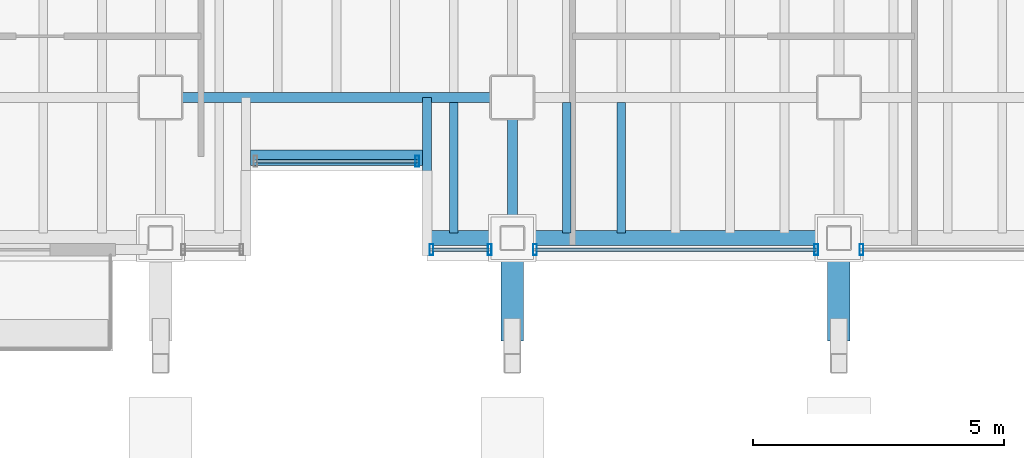
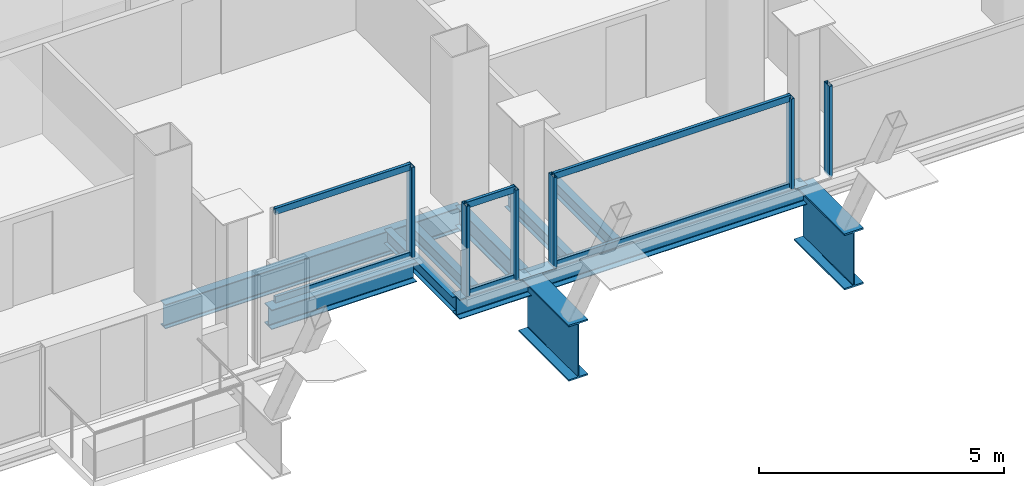
# One storey, part 4 of 16: 12 members, 11 beams, 4 elements without a shape of their own.
"""IFC4 building model written with IfcOpenShell, lengths in metres."""

from ifc_helpers import new_model, si_unit, direction, frame, origin, origin_2d, place, context, subcontext, project, spatial, hollow_rectangle, i_section, extrude, material, material_profile, profile_set, type_object, element, aggregate, save


model = new_model("IFC4")

# Units and contexts
model_context = context("Model", 3, precision=1e-05, world=origin(), true_north=direction((0.0, 1.0)))
body_context = subcontext(model_context, "Body", "Model", "MODEL_VIEW")
ifc_project = project(units=[si_unit("LENGTHUNIT", "METRE"), si_unit("AREAUNIT", "SQUARE_METRE"), si_unit("VOLUMEUNIT", "CUBIC_METRE"), si_unit("PLANEANGLEUNIT", "RADIAN"), si_unit("MASSUNIT", "GRAM", prefix="KILO")], contexts=[model_context])

# Site, building, storey
site_placement = place(None, origin())
site = spatial("IfcSite", under=ifc_project, at=site_placement, CompositionType="ELEMENT")
building_placement = place(site_placement, origin())
building = spatial("IfcBuilding", under=site, at=building_placement, Name="Noeulbin Bourse Tower", CompositionType="ELEMENT")
storey_placement = place(building_placement, frame((0.0, 0.0, 192.89990234375)))
storey = spatial("IfcBuildingStorey", under=building, at=storey_placement, Name="L48", CompositionType="ELEMENT", Elevation=192.89990234375)

# Beams
ifc_material_1 = material(Name="Steel S355", Category="steel")
ifc_material_profile_1 = material_profile(ifc_material_1, i_section(OverallWidth=0.199951171875, OverallDepth=0.5, WebThickness=0.010009765625, FlangeThickness=0.01611328125, FilletRadius=0.02001953125, at=origin_2d()), Name="H-500x200x10x16", Category="LoadBearing")
ifc_profile_set_1 = profile_set([ifc_material_profile_1], Name="Steel S355")
beam_type_1 = type_object("IfcBeamType", Name="BM-GRD-500", PredefinedType="USERDEFINED", material=ifc_profile_set_1)
beam_1_placement = place(storey_placement, frame((31.0, 17.199951171875, -0.429931640625), z_axis=(0.0, 1.0, 0.0), x_axis=(-1.0, 0.0, 0.0)))
element("IfcBeam", 1, at=beam_1_placement, inside=storey, type_object=beam_type_1, Name="Tower Primary Girder NS L48-3.1", ObjectType="GIRDER", PredefinedType="USERDEFINED", context=body_context, shape_type="SweptSolid", body=[
    extrude(i_section(OverallWidth=0.199951171875, OverallDepth=0.5, WebThickness=0.010009765625, FlangeThickness=0.01611328125, FilletRadius=0.02001953125, at=origin_2d()), origin(), (0.0, 0.0, 1.0), 2.800048828125),
])
ifc_material_profile_2 = material_profile(ifc_material_1, i_section(OverallWidth=0.199951171875, OverallDepth=0.60009765625, WebThickness=0.010986328125, FlangeThickness=0.01708984375, FilletRadius=0.02197265625, at=origin_2d()), Name="H-600x200x11x17", Category="LoadBearing")
ifc_profile_set_2 = profile_set([ifc_material_profile_2], Name="Steel S355")
beam_type_2 = type_object("IfcBeamType", Name="BM-GRD-600", PredefinedType="USERDEFINED", material=ifc_profile_set_2)
beam_2_placement = place(storey_placement, frame((24.0, 20.0, -0.47998046875), z_axis=(1.0, 0.0, 0.0), x_axis=(0.0, 1.0, 0.0)))
element("IfcBeam", 2, at=beam_2_placement, inside=storey, type_object=beam_type_2, Name="Tower Primary Girder EW L48-1.3", ObjectType="GIRDER", PredefinedType="USERDEFINED", context=body_context, shape_type="SweptSolid", body=[
    extrude(i_section(OverallWidth=0.199951171875, OverallDepth=0.60009765625, WebThickness=0.010986328125, FlangeThickness=0.01708984375, FilletRadius=0.02197265625, at=origin_2d()), origin(), (0.0, 0.0, 1.0), 7.0),
])
ifc_material_profile_3 = material_profile(ifc_material_1, i_section(OverallWidth=0.175048828125, OverallDepth=0.35009765625, WebThickness=0.007080078125, FlangeThickness=0.010986328125, FilletRadius=0.013916015625, at=origin_2d()), Name="H-350x175x7x11", Category="LoadBearing")
ifc_profile_set_3 = profile_set([ifc_material_profile_3], Name="Steel S355")
beam_type_3 = type_object("IfcBeamType", Name="BM-JST-350", PredefinedType="JOIST", material=ifc_profile_set_3)
beam_3_placement = place(storey_placement, frame((29.300048828125, 17.199951171875, -0.35498046875), z_axis=(0.0, 1.0, 0.0), x_axis=(-1.0, 0.0, 0.0)))
element("IfcBeam", 3, at=beam_3_placement, inside=storey, type_object=beam_type_3, Name="BM-L48-SRT-E", PredefinedType="JOIST", context=body_context, shape_type="SweptSolid", body=[
    extrude(i_section(OverallWidth=0.175048828125, OverallDepth=0.35009765625, WebThickness=0.007080078125, FlangeThickness=0.010986328125, FilletRadius=0.013916015625, at=origin_2d()), origin(), (0.0, 0.0, 1.0), 2.800048828125),
])
for number, where, z_axis, x_axis, name in (
    (4, (29.833251953125, 17.300048828125, -0.35498046875), (0.0, 1.0, 0.0), (-1.0, 0.0, 0.0), "Tower Composite Joist L48-34"),
    (5, (32.083251953125, 17.300048828125, -0.35498046875), (0.0, 1.0, 0.0), (-1.0, 0.0, 0.0), "Tower Composite Joist L48-37"),
    (6, (33.166748046875, 17.300048828125, -0.35498046875), (0.0, 1.0, 0.0), (-1.0, 0.0, 0.0), "Tower Composite Joist L48-40"),
):
    element("IfcBeam", number, at=place(storey_placement, frame(where, z_axis=z_axis, x_axis=x_axis)), inside=storey, type_object=beam_type_3, Name=name, PredefinedType="JOIST", context=body_context, shape_type="SweptSolid", body=[
        extrude(i_section(OverallWidth=0.175048828125, OverallDepth=0.35009765625, WebThickness=0.007080078125, FlangeThickness=0.010986328125, FilletRadius=0.013916015625, at=origin_2d()), origin(), (0.0, 0.0, 1.0), 2.599853515625),
    ])
ifc_material_profile_4 = material_profile(ifc_material_1, i_section(OverallWidth=0.300048828125, OverallDepth=0.488037109375, WebThickness=0.010986328125, FlangeThickness=0.01806640625, FilletRadius=0.02197265625, at=origin_2d()), Name="H-488x300x11x18", Category="LoadBearing")
ifc_profile_set_4 = profile_set([ifc_material_profile_4], Name="Steel S355")
beam_type_4 = type_object("IfcBeamType", Name="BM-SPN-488", PredefinedType="SPANDREL", material=ifc_profile_set_4)
beam_4_placement = place(storey_placement, frame((25.78759765625, 18.800048828125, -0.423828125), z_axis=(1.0, 0.0, 0.0), x_axis=(0.0, 1.0, 0.0)))
element("IfcBeam", 7, at=beam_4_placement, inside=storey, type_object=beam_type_4, Name="South Recess Spandrel L48-2B", PredefinedType="SPANDREL", context=body_context, shape_type="SweptSolid", body=[
    extrude(i_section(OverallWidth=0.300048828125, OverallDepth=0.488037109375, WebThickness=0.010986328125, FlangeThickness=0.01806640625, FilletRadius=0.02197265625, at=origin_2d()), origin(), (0.0, 0.0, 1.0), 3.4248046875),
])
beam_5_placement = place(storey_placement, frame((29.300048828125, 17.199951171875, -0.423828125), z_axis=(1.0, 0.0, 0.0), x_axis=(0.0, 1.0, 0.0)))
element("IfcBeam", 8, at=beam_5_placement, inside=storey, type_object=beam_type_4, Name="South Spandrel L48-2C", PredefinedType="SPANDREL", context=body_context, shape_type="SweptSolid", body=[
    extrude(i_section(OverallWidth=0.300048828125, OverallDepth=0.488037109375, WebThickness=0.010986328125, FlangeThickness=0.01806640625, FilletRadius=0.02197265625, at=origin_2d()), origin(), (0.0, 0.0, 1.0), 1.699951171875),
])
beam_6_placement = place(storey_placement, frame((31.0, 17.199951171875, -0.423828125), z_axis=(1.0, 0.0, 0.0), x_axis=(0.0, 1.0, 0.0)))
element("IfcBeam", 9, at=beam_6_placement, inside=storey, type_object=beam_type_4, Name="South Spandrel L48-3", PredefinedType="SPANDREL", context=body_context, shape_type="SweptSolid", body=[
    extrude(i_section(OverallWidth=0.300048828125, OverallDepth=0.488037109375, WebThickness=0.010986328125, FlangeThickness=0.01806640625, FilletRadius=0.02197265625, at=origin_2d()), origin(), (0.0, 0.0, 1.0), 6.5),
])
ifc_material_2 = material(Name="Steel S460", Category="steel")
ifc_material_profile_5 = material_profile(ifc_material_2, i_section(OverallWidth=0.449951171875, OverallDepth=1.39990234375, WebThickness=0.02392578125, FlangeThickness=0.0400390625, FilletRadius=0.02392578125, at=origin_2d()), Name="PG-1400x450x24x40", Category="LoadBearing")
ifc_profile_set_5 = profile_set([ifc_material_profile_5], Name="Steel S460")
beam_type_5 = type_object("IfcBeamType", Name="BM-TRF-1400", PredefinedType="USERDEFINED", material=ifc_profile_set_5)
for number, where, z_axis, x_axis, name in (
    (10, (31.0, 15.14990234375, -0.8798828125), (0.0, 1.0, 0.0), (-1.0, 0.0, 0.0), "Transfer Outrigger Corbel L48-03"),
    (11, (37.5, 15.14990234375, -0.8798828125), (0.0, 1.0, 0.0), (-1.0, 0.0, 0.0), "Transfer Outrigger Corbel L48-04"),
):
    element("IfcBeam", number, at=place(storey_placement, frame(where, z_axis=z_axis, x_axis=x_axis)), inside=storey, type_object=beam_type_5, Name=name, ObjectType="GIRDER", PredefinedType="USERDEFINED", context=body_context, shape_type="SweptSolid", body=[
        extrude(i_section(OverallWidth=0.449951171875, OverallDepth=1.39990234375, WebThickness=0.02392578125, FlangeThickness=0.0400390625, FilletRadius=0.02392578125, at=origin_2d()), origin(), (0.0, 0.0, 1.0), 2.050048828125),
    ])

# Curtain wall, member
ifc_material_3 = material(Name="Dark Tinted Triple Glazing", Category="glass")
curtain_wall_type = type_object("IfcCurtainWallType", Name="CW-SYS-3", PredefinedType="NOTDEFINED", material=ifc_material_3)
curtain_wall_1_placement = place(storey_placement, origin())
curtain_wall_1 = element("IfcCurtainWall", 12, at=curtain_wall_1_placement, inside=storey, type_object=curtain_wall_type, Name="Unitised Curtain Wall CW-L48-SREC", PredefinedType="NOTDEFINED")
ifc_material_4 = material(Name="Anodised Aluminium 6063-T6", Category="aluminium")
ifc_material_profile_6 = material_profile(ifc_material_4, hollow_rectangle(XDim=0.074951171875, YDim=0.219970703125, WallThickness=0.0048828125, InnerFilletRadius=0.00244140625, OuterFilletRadius=0.0048828125, at=origin_2d()), Name="ALU-MULL-75x220x5", Category="LoadBearing")
ifc_profile_set_6 = profile_set([ifc_material_profile_6], Name="Anodised Aluminium 6063-T6")
member_type_1 = type_object("IfcMemberType", Name="CW-SYS-3-MUL", PredefinedType="MULLION", material=ifc_profile_set_6)
member_1_placement = place(storey_placement, frame((29.110107421875, 18.72998046875, -0.02001953125), z_axis=(0.0, 0.0, 1.0), x_axis=(1.0, 0.0, 0.0)))
member_1 = element("IfcMember", 13, at=member_1_placement, type_object=member_type_1, Name="Curtain Wall Mullion CW-L48-SREC-M01", PredefinedType="MULLION", context=body_context, shape_type="SweptSolid", body=[
    extrude(hollow_rectangle(XDim=0.074951171875, YDim=0.219970703125, WallThickness=0.0048828125, InnerFilletRadius=0.00244140625, OuterFilletRadius=0.0048828125, at=origin_2d()), origin(), (0.0, 0.0, 1.0), 2.260009765625),
])

# Curtain wall, members
curtain_wall_2_placement = place(storey_placement, origin())
curtain_wall_2 = element("IfcCurtainWall", 14, at=curtain_wall_2_placement, inside=storey, type_object=curtain_wall_type, Name="Unitised Curtain Wall CW-L48-S3-S1", PredefinedType="NOTDEFINED")
member_2_placement = place(storey_placement, frame((29.389892578125, 16.969970703125, -0.02001953125), z_axis=(0.0, 0.0, 1.0), x_axis=(1.0, 0.0, 0.0)))
member_2 = element("IfcMember", 15, at=member_2_placement, type_object=member_type_1, Name="Curtain Wall Mullion CW-L48-S3-S1-M00", PredefinedType="MULLION", context=body_context, shape_type="SweptSolid", body=[
    extrude(hollow_rectangle(XDim=0.074951171875, YDim=0.219970703125, WallThickness=0.0048828125, InnerFilletRadius=0.00244140625, OuterFilletRadius=0.0048828125, at=origin_2d()), origin(), (0.0, 0.0, 1.0), 2.260009765625),
])
member_3_placement = place(storey_placement, frame((30.550048828125, 16.969970703125, -0.02001953125), z_axis=(0.0, 0.0, 1.0), x_axis=(1.0, 0.0, 0.0)))
member_3 = element("IfcMember", 16, at=member_3_placement, type_object=member_type_1, Name="Curtain Wall Mullion CW-L48-S3-S1-M01", PredefinedType="MULLION", context=body_context, shape_type="SweptSolid", body=[
    extrude(hollow_rectangle(XDim=0.074951171875, YDim=0.219970703125, WallThickness=0.0048828125, InnerFilletRadius=0.00244140625, OuterFilletRadius=0.0048828125, at=origin_2d()), origin(), (0.0, 0.0, 1.0), 2.260009765625),
])

curtain_wall_3_placement = place(storey_placement, origin())
curtain_wall_3 = element("IfcCurtainWall", 17, at=curtain_wall_3_placement, inside=storey, type_object=curtain_wall_type, Name="Unitised Curtain Wall CW-L48-S3-S2", PredefinedType="NOTDEFINED")
member_4_placement = place(storey_placement, frame((31.449951171875, 16.969970703125, -0.02001953125), z_axis=(0.0, 0.0, 1.0), x_axis=(1.0, 0.0, 0.0)))
member_4 = element("IfcMember", 18, at=member_4_placement, type_object=member_type_1, Name="Curtain Wall Mullion CW-L48-S3-S2-M00", PredefinedType="MULLION", context=body_context, shape_type="SweptSolid", body=[
    extrude(hollow_rectangle(XDim=0.074951171875, YDim=0.219970703125, WallThickness=0.0048828125, InnerFilletRadius=0.00244140625, OuterFilletRadius=0.0048828125, at=origin_2d()), origin(), (0.0, 0.0, 1.0), 2.260009765625),
])
member_5_placement = place(storey_placement, frame((37.050048828125, 16.969970703125, -0.02001953125), z_axis=(0.0, 0.0, 1.0), x_axis=(1.0, 0.0, 0.0)))
member_5 = element("IfcMember", 19, at=member_5_placement, type_object=member_type_1, Name="Curtain Wall Mullion CW-L48-S3-S2-M01", PredefinedType="MULLION", context=body_context, shape_type="SweptSolid", body=[
    extrude(hollow_rectangle(XDim=0.074951171875, YDim=0.219970703125, WallThickness=0.0048828125, InnerFilletRadius=0.00244140625, OuterFilletRadius=0.0048828125, at=origin_2d()), origin(), (0.0, 0.0, 1.0), 2.260009765625),
])

# Curtain wall, member
curtain_wall_4_placement = place(storey_placement, origin())
curtain_wall_4 = element("IfcCurtainWall", 20, at=curtain_wall_4_placement, inside=storey, type_object=curtain_wall_type, Name="Unitised Curtain Wall CW-L48-S3-S3", PredefinedType="NOTDEFINED")
member_6_placement = place(storey_placement, frame((37.949951171875, 16.969970703125, -0.02001953125), z_axis=(0.0, 0.0, 1.0), x_axis=(1.0, 0.0, 0.0)))
member_6 = element("IfcMember", 21, at=member_6_placement, type_object=member_type_1, Name="Curtain Wall Mullion CW-L48-S3-S3-M00", PredefinedType="MULLION", context=body_context, shape_type="SweptSolid", body=[
    extrude(hollow_rectangle(XDim=0.074951171875, YDim=0.219970703125, WallThickness=0.0048828125, InnerFilletRadius=0.00244140625, OuterFilletRadius=0.0048828125, at=origin_2d()), origin(), (0.0, 0.0, 1.0), 2.260009765625),
])
aggregate(curtain_wall_4, [member_6])

# Member
ifc_material_profile_7 = material_profile(ifc_material_4, hollow_rectangle(XDim=0.074951171875, YDim=0.159912109375, WallThickness=0.0048828125, InnerFilletRadius=0.00244140625, OuterFilletRadius=0.0048828125, at=origin_2d()), Name="ALU-TRAN-75x160x5", Category="LoadBearing")
ifc_profile_set_7 = profile_set([ifc_material_profile_7], Name="Anodised Aluminium 6063-T6")
member_type_2 = type_object("IfcMemberType", Name="CW-SYS-3-TRN", PredefinedType="USERDEFINED", material=ifc_profile_set_7)
member_7_placement = place(storey_placement, frame((25.89990234375, 18.72998046875, 0.010009765625), z_axis=(1.0, 0.0, 0.0), x_axis=(0.0, 1.0, 0.0)))
member_7 = element("IfcMember", 22, at=member_7_placement, type_object=member_type_2, Name="Curtain Wall Transom CW-L48-SREC-T00", ObjectType="TRANSOM", PredefinedType="USERDEFINED", context=body_context, shape_type="SweptSolid", body=[
    extrude(hollow_rectangle(XDim=0.074951171875, YDim=0.159912109375, WallThickness=0.0048828125, InnerFilletRadius=0.00244140625, OuterFilletRadius=0.0048828125, at=origin_2d()), origin(), (0.0, 0.0, 1.0), 3.2001953125),
])

member_8_placement = place(storey_placement, frame((25.89990234375, 18.72998046875, 2.210205078125), z_axis=(1.0, 0.0, 0.0), x_axis=(0.0, 1.0, 0.0)))
member_8 = element("IfcMember", 23, at=member_8_placement, type_object=member_type_2, Name="Curtain Wall Transom CW-L48-SREC-T01", ObjectType="TRANSOM", PredefinedType="USERDEFINED", context=body_context, shape_type="SweptSolid", body=[
    extrude(hollow_rectangle(XDim=0.074951171875, YDim=0.159912109375, WallThickness=0.0048828125, InnerFilletRadius=0.00244140625, OuterFilletRadius=0.0048828125, at=origin_2d()), origin(), (0.0, 0.0, 1.0), 3.2001953125),
])

aggregate(curtain_wall_1, [member_1, member_7, member_8])

member_9_placement = place(storey_placement, frame((29.39990234375, 16.969970703125, 0.010009765625), z_axis=(1.0, 0.0, 0.0), x_axis=(0.0, 1.0, 0.0)))
member_9 = element("IfcMember", 24, at=member_9_placement, type_object=member_type_2, Name="Curtain Wall Transom CW-L48-S3-S1-T00", ObjectType="TRANSOM", PredefinedType="USERDEFINED", context=body_context, shape_type="SweptSolid", body=[
    extrude(hollow_rectangle(XDim=0.074951171875, YDim=0.159912109375, WallThickness=0.0048828125, InnerFilletRadius=0.00244140625, OuterFilletRadius=0.0048828125, at=origin_2d()), origin(), (0.0, 0.0, 1.0), 1.14013671875),
])

member_10_placement = place(storey_placement, frame((29.39990234375, 16.969970703125, 2.210205078125), z_axis=(1.0, 0.0, 0.0), x_axis=(0.0, 1.0, 0.0)))
member_10 = element("IfcMember", 25, at=member_10_placement, type_object=member_type_2, Name="Curtain Wall Transom CW-L48-S3-S1-T01", ObjectType="TRANSOM", PredefinedType="USERDEFINED", context=body_context, shape_type="SweptSolid", body=[
    extrude(hollow_rectangle(XDim=0.074951171875, YDim=0.159912109375, WallThickness=0.0048828125, InnerFilletRadius=0.00244140625, OuterFilletRadius=0.0048828125, at=origin_2d()), origin(), (0.0, 0.0, 1.0), 1.14013671875),
])

aggregate(curtain_wall_2, [member_2, member_3, member_9, member_10])

member_11_placement = place(storey_placement, frame((31.4599609375, 16.969970703125, 0.010009765625), z_axis=(1.0, 0.0, 0.0), x_axis=(0.0, 1.0, 0.0)))
member_11 = element("IfcMember", 26, at=member_11_placement, type_object=member_type_2, Name="Curtain Wall Transom CW-L48-S3-S2-T00", ObjectType="TRANSOM", PredefinedType="USERDEFINED", context=body_context, shape_type="SweptSolid", body=[
    extrude(hollow_rectangle(XDim=0.074951171875, YDim=0.159912109375, WallThickness=0.0048828125, InnerFilletRadius=0.00244140625, OuterFilletRadius=0.0048828125, at=origin_2d()), origin(), (0.0, 0.0, 1.0), 5.580078125),
])

member_12_placement = place(storey_placement, frame((31.4599609375, 16.969970703125, 2.210205078125), z_axis=(1.0, 0.0, 0.0), x_axis=(0.0, 1.0, 0.0)))
member_12 = element("IfcMember", 27, at=member_12_placement, type_object=member_type_2, Name="Curtain Wall Transom CW-L48-S3-S2-T01", ObjectType="TRANSOM", PredefinedType="USERDEFINED", context=body_context, shape_type="SweptSolid", body=[
    extrude(hollow_rectangle(XDim=0.074951171875, YDim=0.159912109375, WallThickness=0.0048828125, InnerFilletRadius=0.00244140625, OuterFilletRadius=0.0048828125, at=origin_2d()), origin(), (0.0, 0.0, 1.0), 5.580078125),
])

aggregate(curtain_wall_3, [member_4, member_5, member_11, member_12])

save(model, "model.ifc")
